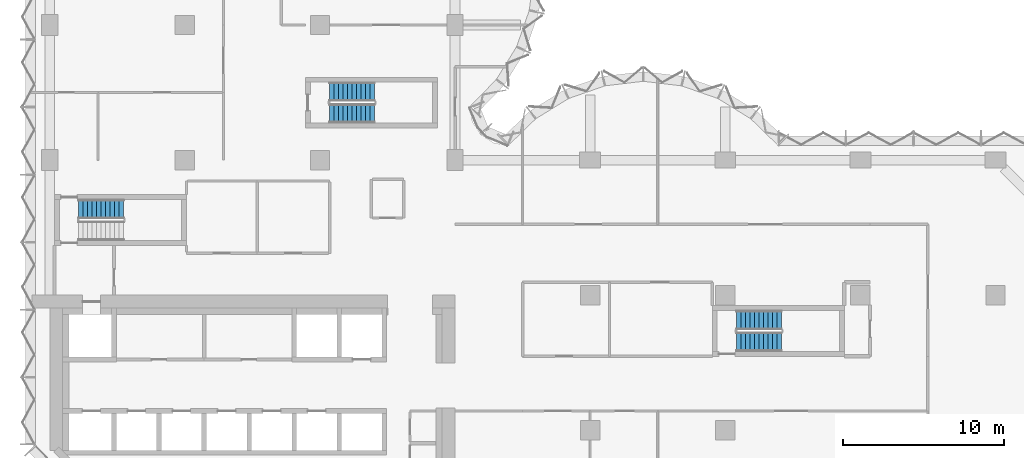
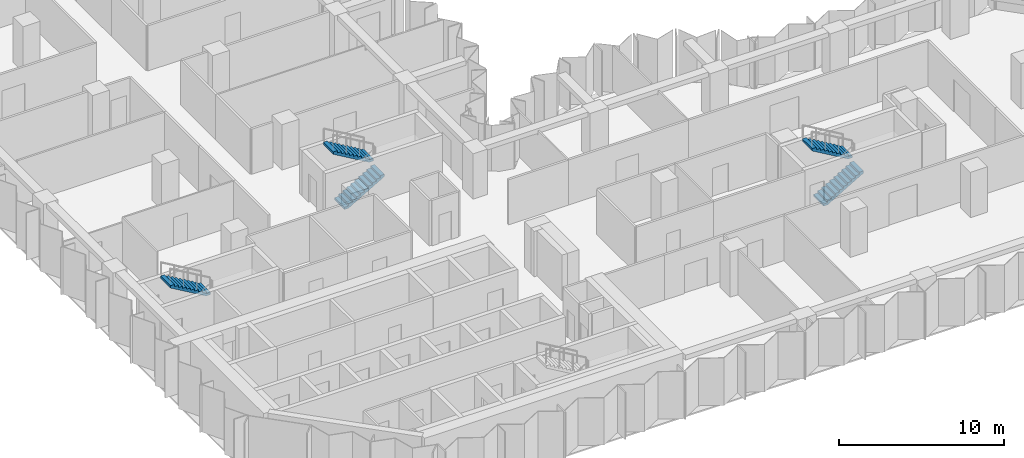
# One storey, part 11 of 13: 5 stair flights, 3 elements without a shape of their own.
"""IFC4 building model written with IfcOpenShell, lengths in metres."""

from ifc_helpers import new_model, si_unit, direction, frame, origin, place, context, subcontext, project, spatial, polyline, outline, extrude, material, type_object, element, aggregate, save


model = new_model("IFC4")

# Units and contexts
model_context = context("Model", 3, precision=1e-05, world=origin(), true_north=direction((0.0, 1.0)))
body_context = subcontext(model_context, "Body", "Model", "MODEL_VIEW")
ifc_project = project(units=[si_unit("LENGTHUNIT", "METRE"), si_unit("AREAUNIT", "SQUARE_METRE"), si_unit("VOLUMEUNIT", "CUBIC_METRE"), si_unit("PLANEANGLEUNIT", "RADIAN"), si_unit("MASSUNIT", "GRAM", prefix="KILO")], contexts=[model_context])

# Site, building, storey
site_placement = place(None, origin())
site = spatial("IfcSite", under=ifc_project, at=site_placement, CompositionType="ELEMENT")
building_placement = place(site_placement, origin())
building = spatial("IfcBuilding", under=site, at=building_placement, Name="Brevane Broadcast Tower", CompositionType="ELEMENT")
storey_placement = place(building_placement, frame((0.0, 0.0, 95.300048828125)))
storey = spatial("IfcBuildingStorey", under=building, at=storey_placement, Name="L22", CompositionType="ELEMENT", Elevation=95.300048828125)

# Stair, stair flight
ifc_material = material(Name="Concrete C50/60", Category="concrete")
stair_type = type_object("IfcStairType", Name="Exit stair 22 risers", PredefinedType="HALF_TURN_STAIR", material=ifc_material)
stair_1_placement = place(storey_placement, origin())
stair_1 = element("IfcStair", 1, at=stair_1_placement, inside=storey, type_object=stair_type, Name="L22 Exit stair ST-1", PredefinedType="HALF_TURN_STAIR")
stair_flight_type = type_object("IfcStairFlightType", Name="Exit stair flight 22 risers", PredefinedType="STRAIGHT", material=ifc_material)
stair_flight_1_placement = place(storey_placement, frame((4.60009765625, 22.14990234375, 1.800048828125), z_axis=(0.0, 0.0, 1.0), x_axis=(-1.0, 0.0, 0.0)))
stair_flight_1 = element("IfcStairFlight", 2, at=stair_flight_1_placement, type_object=stair_flight_type, Name="ST-1 flight 2", NumberOfRisers=11, NumberOfTreads=10, PredefinedType="STRAIGHT", RiserHeight=0.163636364, TreadLength=0.28, context=body_context, shape_type="SweptSolid", body=[
    extrude(outline(polyline([(0.0, 0.0), (0.0, 0.16357421875), (0.280029296875, 0.16357421875), (0.280029296875, 0.327392578125), (0.56005859375, 0.327392578125), (0.56005859375, 0.490966796875), (0.840087890625, 0.490966796875), (0.840087890625, 0.654541015625), (1.1201171875, 0.654541015625), (1.1201171875, 0.818115234375), (1.39990234375, 0.818115234375), (1.39990234375, 0.98193359375), (1.679931640625, 0.98193359375), (1.679931640625, 1.1455078125), (1.9599609375, 1.1455078125), (1.9599609375, 1.30908203125), (2.239990234375, 1.30908203125), (2.239990234375, 1.47265625), (2.52001953125, 1.47265625), (2.52001953125, 1.636474609375), (2.800048828125, 1.636474609375), (2.800048828125, 1.800048828125), (2.800048828125, 1.462646484375), (0.297119140625, 0.0), (0.0, 0.0)])), frame((0.0, 0.60009765625, 0.0), z_axis=(0.0, -1.0, 0.0), x_axis=(1.0, 0.0, 0.0)), (0.0, 0.0, 1.0), 1.199951171875),
])
aggregate(stair_1, [stair_flight_1])

# Stair, stair flights
stair_2_placement = place(storey_placement, origin())
stair_2 = element("IfcStair", 3, at=stair_2_placement, inside=storey, type_object=stair_type, Name="L22 Exit stair ST-3", PredefinedType="HALF_TURN_STAIR")
stair_flight_2_placement = place(storey_placement, frame((17.39990234375, 28.10009765625, 0.0), z_axis=(0.0, 0.0, 1.0), x_axis=(1.0, 0.0, 0.0)))
stair_flight_2 = element("IfcStairFlight", 4, at=stair_flight_2_placement, type_object=stair_flight_type, Name="ST-3 flight 1", NumberOfRisers=11, NumberOfTreads=10, PredefinedType="STRAIGHT", RiserHeight=0.163636364, TreadLength=0.28, context=body_context, shape_type="SweptSolid", body=[
    extrude(outline(polyline([(0.0, 0.0), (0.0, 0.16357421875), (0.280029296875, 0.16357421875), (0.280029296875, 0.327392578125), (0.56005859375, 0.327392578125), (0.56005859375, 0.490966796875), (0.840087890625, 0.490966796875), (0.840087890625, 0.654541015625), (1.1201171875, 0.654541015625), (1.1201171875, 0.818115234375), (1.39990234375, 0.818115234375), (1.39990234375, 0.98193359375), (1.679931640625, 0.98193359375), (1.679931640625, 1.1455078125), (1.9599609375, 1.1455078125), (1.9599609375, 1.30908203125), (2.239990234375, 1.30908203125), (2.239990234375, 1.47265625), (2.52001953125, 1.47265625), (2.52001953125, 1.636474609375), (2.800048828125, 1.636474609375), (2.800048828125, 1.800048828125), (2.800048828125, 1.462646484375), (0.297119140625, 0.0), (0.0, 0.0)])), frame((0.0, 0.60009765625, 0.0), z_axis=(0.0, -1.0, 0.0), x_axis=(1.0, 0.0, 0.0)), (0.0, 0.0, 1.0), 1.199951171875),
])
stair_flight_3_placement = place(storey_placement, frame((20.199951171875, 29.449951171875, 1.800048828125), z_axis=(0.0, 0.0, 1.0), x_axis=(-1.0, 0.0, 0.0)))
stair_flight_3 = element("IfcStairFlight", 5, at=stair_flight_3_placement, type_object=stair_flight_type, Name="ST-3 flight 2", NumberOfRisers=11, NumberOfTreads=10, PredefinedType="STRAIGHT", RiserHeight=0.163636364, TreadLength=0.28, context=body_context, shape_type="SweptSolid", body=[
    extrude(outline(polyline([(0.0, 0.0), (0.0, 0.16357421875), (0.280029296875, 0.16357421875), (0.280029296875, 0.327392578125), (0.56005859375, 0.327392578125), (0.56005859375, 0.490966796875), (0.840087890625, 0.490966796875), (0.840087890625, 0.654541015625), (1.1201171875, 0.654541015625), (1.1201171875, 0.818115234375), (1.39990234375, 0.818115234375), (1.39990234375, 0.98193359375), (1.679931640625, 0.98193359375), (1.679931640625, 1.1455078125), (1.9599609375, 1.1455078125), (1.9599609375, 1.30908203125), (2.239990234375, 1.30908203125), (2.239990234375, 1.47265625), (2.52001953125, 1.47265625), (2.52001953125, 1.636474609375), (2.800048828125, 1.636474609375), (2.800048828125, 1.800048828125), (2.800048828125, 1.462646484375), (0.297119140625, 0.0), (0.0, 0.0)])), frame((0.0, 0.60009765625, 0.0), z_axis=(0.0, -1.0, 0.0), x_axis=(1.0, 0.0, 0.0)), (0.0, 0.0, 1.0), 1.199951171875),
])
aggregate(stair_2, [stair_flight_2, stair_flight_3])

stair_3_placement = place(storey_placement, origin())
stair_3 = element("IfcStair", 6, at=stair_3_placement, inside=storey, type_object=stair_type, Name="L22 Exit stair ST-4", PredefinedType="HALF_TURN_STAIR")
stair_flight_4_placement = place(storey_placement, frame((42.699951171875, 13.89990234375, 0.0), z_axis=(0.0, 0.0, 1.0), x_axis=(1.0, 0.0, 0.0)))
stair_flight_4 = element("IfcStairFlight", 7, at=stair_flight_4_placement, type_object=stair_flight_type, Name="ST-4 flight 1", NumberOfRisers=11, NumberOfTreads=10, PredefinedType="STRAIGHT", RiserHeight=0.163636364, TreadLength=0.28, context=body_context, shape_type="SweptSolid", body=[
    extrude(outline(polyline([(0.0, 0.0), (0.0, 0.16357421875), (0.280029296875, 0.16357421875), (0.280029296875, 0.327392578125), (0.56005859375, 0.327392578125), (0.56005859375, 0.490966796875), (0.840087890625, 0.490966796875), (0.840087890625, 0.654541015625), (1.1201171875, 0.654541015625), (1.1201171875, 0.818115234375), (1.39990234375, 0.818115234375), (1.39990234375, 0.98193359375), (1.679931640625, 0.98193359375), (1.679931640625, 1.1455078125), (1.9599609375, 1.1455078125), (1.9599609375, 1.30908203125), (2.239990234375, 1.30908203125), (2.239990234375, 1.47265625), (2.52001953125, 1.47265625), (2.52001953125, 1.636474609375), (2.800048828125, 1.636474609375), (2.800048828125, 1.800048828125), (2.800048828125, 1.462646484375), (0.297119140625, 0.0), (0.0, 0.0)])), frame((0.0, 0.60009765625, 0.0), z_axis=(0.0, -1.0, 0.0), x_axis=(1.0, 0.0, 0.0)), (0.0, 0.0, 1.0), 1.199951171875),
])
stair_flight_5_placement = place(storey_placement, frame((45.5, 15.25, 1.800048828125), z_axis=(0.0, 0.0, 1.0), x_axis=(-1.0, 0.0, 0.0)))
stair_flight_5 = element("IfcStairFlight", 8, at=stair_flight_5_placement, type_object=stair_flight_type, Name="ST-4 flight 2", NumberOfRisers=11, NumberOfTreads=10, PredefinedType="STRAIGHT", RiserHeight=0.163636364, TreadLength=0.28, context=body_context, shape_type="SweptSolid", body=[
    extrude(outline(polyline([(0.0, 0.0), (0.0, 0.16357421875), (0.280029296875, 0.16357421875), (0.280029296875, 0.327392578125), (0.56005859375, 0.327392578125), (0.56005859375, 0.490966796875), (0.840087890625, 0.490966796875), (0.840087890625, 0.654541015625), (1.1201171875, 0.654541015625), (1.1201171875, 0.818115234375), (1.39990234375, 0.818115234375), (1.39990234375, 0.98193359375), (1.679931640625, 0.98193359375), (1.679931640625, 1.1455078125), (1.9599609375, 1.1455078125), (1.9599609375, 1.30908203125), (2.239990234375, 1.30908203125), (2.239990234375, 1.47265625), (2.52001953125, 1.47265625), (2.52001953125, 1.636474609375), (2.800048828125, 1.636474609375), (2.800048828125, 1.800048828125), (2.800048828125, 1.462646484375), (0.297119140625, 0.0), (0.0, 0.0)])), frame((0.0, 0.60009765625, 0.0), z_axis=(0.0, -1.0, 0.0), x_axis=(1.0, 0.0, 0.0)), (0.0, 0.0, 1.0), 1.199951171875),
])
aggregate(stair_3, [stair_flight_4, stair_flight_5])

save(model, "model.ifc")
